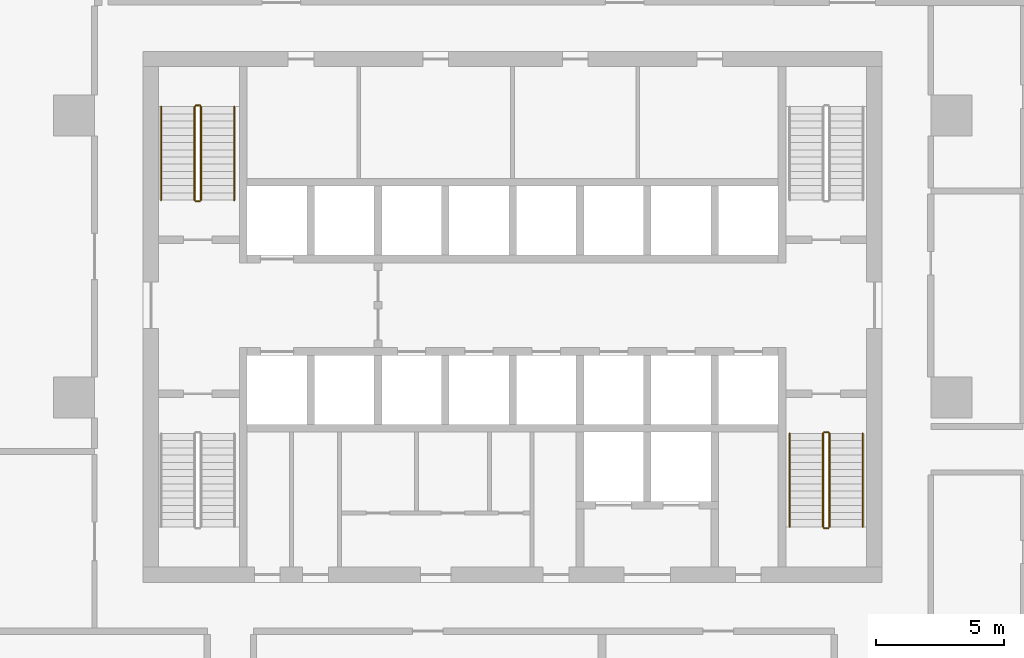
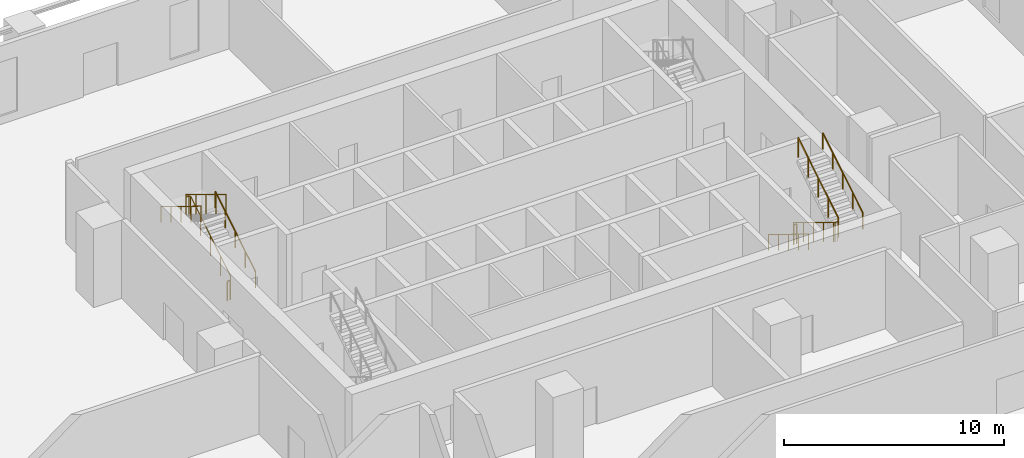
# One storey, part 13 of 15: 10 railings.
"""IFC4 building model written with IfcOpenShell, lengths in metres."""

from ifc_helpers import new_model, si_unit, direction, frame, origin, origin_2d, place, context, subcontext, project, spatial, circle, extrude, material, type_object, element, save


model = new_model("IFC4")

# Units and contexts
model_context = context("Model", 3, precision=1e-05, world=origin(), true_north=direction((0.0, 1.0)))
body_context = subcontext(model_context, "Body", "Model", "MODEL_VIEW")
ifc_project = project(units=[si_unit("LENGTHUNIT", "METRE"), si_unit("AREAUNIT", "SQUARE_METRE"), si_unit("VOLUMEUNIT", "CUBIC_METRE"), si_unit("PLANEANGLEUNIT", "RADIAN"), si_unit("MASSUNIT", "GRAM", prefix="KILO")], contexts=[model_context])

# Site, building, storey
site_placement = place(None, origin())
site = spatial("IfcSite", under=ifc_project, at=site_placement, CompositionType="ELEMENT")
building_placement = place(site_placement, origin())
building = spatial("IfcBuilding", under=site, at=building_placement, Name="Mopane Tessera Tower", CompositionType="ELEMENT")
storey_placement = place(building_placement, frame((0.0, 0.0, 69.39990234375)))
storey = spatial("IfcBuildingStorey", under=building, at=storey_placement, Name="L13", CompositionType="ELEMENT", Elevation=69.39990234375)

# Railings
ifc_material_1 = material(Name="Powder-coated steel balustrade", Category="steel")
railing_type_1 = type_object("IfcRailingType", Name="Escape stair guard 1100 mm", PredefinedType="GUARDRAIL", material=ifc_material_1)
railing_1_placement = place(storey_placement, frame((-12.14990234375, 7.699951171875, 0.171630859375)))
element("IfcRailing", 1, at=railing_1_placement, inside=storey, type_object=railing_type_1, Name="L13 ST2 stair guard 1", PredefinedType="GUARDRAIL", context=body_context, shape_type="SweptSolid", body=[
    extrude(circle(Radius=0.02392578125, at=origin_2d()), frame((0.0, 0.0, 1.076171875), z_axis=(0.0, 0.852865859571, 0.52213008492), x_axis=(-1.0, 0.0, 0.0)), (0.0, 0.0, 1.0), 4.26806640625),
    extrude(circle(Radius=0.02392578125, at=origin_2d()), frame((0.0, 3.64013671875, 3.3046875), z_axis=(-0.708833529934, 0.705375805398, 0.0), x_axis=(-0.705375805398, -0.708833529934, 0.0)), (0.0, 0.0, 1.0), 0.070556640625),
    extrude(circle(Radius=0.02392578125, at=origin_2d()), frame((-0.050048828125, 3.68994140625, 3.3046875), z_axis=(-1.0, 0.0, 0.0), x_axis=(0.0, -1.0, 0.0)), (0.0, 0.0, 1.0), 0.150146484375),
    extrude(circle(Radius=0.02099609375, at=origin_2d()), origin(), (0.0, 0.0, 1.0), 1.052001953125),
    extrude(circle(Radius=0.02099609375, at=origin_2d()), frame((0.0, 0.91015625, 0.55712890625)), (0.0, 0.0, 1.0), 1.052001953125),
    extrude(circle(Radius=0.02099609375, at=origin_2d()), frame((0.0, 1.820068359375, 1.1142578125)), (0.0, 0.0, 1.0), 1.052001953125),
    extrude(circle(Radius=0.02099609375, at=origin_2d()), frame((0.0, 2.72998046875, 1.67138671875)), (0.0, 0.0, 1.0), 1.052001953125),
    extrude(circle(Radius=0.02099609375, at=origin_2d()), frame((0.0, 3.64013671875, 2.228515625)), (0.0, 0.0, 1.0), 1.052001953125),
    extrude(circle(Radius=0.02099609375, at=origin_2d()), frame((-0.050048828125, 3.68994140625, 2.228515625)), (0.0, 0.0, 1.0), 1.052001953125),
    extrude(circle(Radius=0.02099609375, at=origin_2d()), frame((-0.2001953125, 3.68994140625, 2.228515625)), (0.0, 0.0, 1.0), 1.052001953125),
])
railing_2_placement = place(storey_placement, frame((-12.39990234375, 11.340087890625, 2.571533203125)))
element("IfcRailing", 2, at=railing_2_placement, inside=storey, type_object=railing_type_1, Name="L13 ST2 stair guard 2", PredefinedType="GUARDRAIL", context=body_context, shape_type="SweptSolid", body=[
    extrude(circle(Radius=0.02392578125, at=origin_2d()), frame((0.0, 0.0, 1.076171875), z_axis=(0.0, -0.852865859571, 0.52213008492), x_axis=(1.0, 0.0, 0.0)), (0.0, 0.0, 1.0), 4.26806640625),
    extrude(circle(Radius=0.02099609375, at=origin_2d()), origin(), (0.0, 0.0, 1.0), 1.052001953125),
    extrude(circle(Radius=0.02099609375, at=origin_2d()), frame((0.0, -0.91015625, 0.55712890625)), (0.0, 0.0, 1.0), 1.052001953125),
    extrude(circle(Radius=0.02099609375, at=origin_2d()), frame((0.0, -1.820068359375, 1.1142578125)), (0.0, 0.0, 1.0), 1.052001953125),
    extrude(circle(Radius=0.02099609375, at=origin_2d()), frame((0.0, -2.72998046875, 1.67138671875)), (0.0, 0.0, 1.0), 1.052001953125),
    extrude(circle(Radius=0.02099609375, at=origin_2d()), frame((0.0, -3.64013671875, 2.228515625)), (0.0, 0.0, 1.0), 1.052001953125),
])
railing_3_placement = place(storey_placement, frame((-12.199951171875, 7.64990234375, 0.0)))
element("IfcRailing", 3, at=railing_3_placement, inside=storey, type_object=railing_type_1, Name="L13 ST2 stair guard 3", PredefinedType="GUARDRAIL", context=body_context, shape_type="SweptSolid", body=[
    extrude(circle(Radius=0.02392578125, at=origin_2d()), frame((0.0, 0.0, 1.076171875), z_axis=(-1.0, 0.0, 0.0), x_axis=(0.0, -1.0, 0.0)), (0.0, 0.0, 1.0), 0.150146484375),
    extrude(circle(Radius=0.02099609375, at=origin_2d()), origin(), (0.0, 0.0, 1.0), 1.052001953125),
    extrude(circle(Radius=0.02099609375, at=origin_2d()), frame((-0.150146484375, 0.0, 0.0)), (0.0, 0.0, 1.0), 1.052001953125),
])
railing_4_placement = place(storey_placement, frame((12.10009765625, -1.39990234375, 0.171630859375)))
element("IfcRailing", 4, at=railing_4_placement, inside=storey, type_object=railing_type_1, Name="L13 ST3 stair guard 1", PredefinedType="GUARDRAIL", context=body_context, shape_type="SweptSolid", body=[
    extrude(circle(Radius=0.02392578125, at=origin_2d()), frame((0.0, 0.0, 1.076171875), z_axis=(0.0, -0.852865859571, 0.52213008492), x_axis=(1.0, 0.0, 0.0)), (0.0, 0.0, 1.0), 4.26806640625),
    extrude(circle(Radius=0.02392578125, at=origin_2d()), frame((0.0, -3.64013671875, 3.3046875), z_axis=(0.705375805398, -0.708833529934, 0.0), x_axis=(0.708833529934, 0.705375805398, 0.0)), (0.0, 0.0, 1.0), 0.070556640625),
    extrude(circle(Radius=0.02392578125, at=origin_2d()), frame((0.0498046875, -3.690185546875, 3.3046875), z_axis=(1.0, 0.0, 0.0), x_axis=(0.0, 1.0, 0.0)), (0.0, 0.0, 1.0), 0.150146484375),
    extrude(circle(Radius=0.02099609375, at=origin_2d()), origin(), (0.0, 0.0, 1.0), 1.052001953125),
    extrude(circle(Radius=0.02099609375, at=origin_2d()), frame((0.0, -0.91015625, 0.55712890625)), (0.0, 0.0, 1.0), 1.052001953125),
    extrude(circle(Radius=0.02099609375, at=origin_2d()), frame((0.0, -1.820068359375, 1.1142578125)), (0.0, 0.0, 1.0), 1.052001953125),
    extrude(circle(Radius=0.02099609375, at=origin_2d()), frame((0.0, -2.72998046875, 1.67138671875)), (0.0, 0.0, 1.0), 1.052001953125),
    extrude(circle(Radius=0.02099609375, at=origin_2d()), frame((0.0, -3.64013671875, 2.228515625)), (0.0, 0.0, 1.0), 1.052001953125),
    extrude(circle(Radius=0.02099609375, at=origin_2d()), frame((0.0498046875, -3.690185546875, 2.228515625)), (0.0, 0.0, 1.0), 1.052001953125),
    extrude(circle(Radius=0.02099609375, at=origin_2d()), frame((0.199951171875, -3.690185546875, 2.228515625)), (0.0, 0.0, 1.0), 1.052001953125),
])
railing_5_placement = place(storey_placement, frame((12.35009765625, -5.0400390625, 2.571533203125)))
element("IfcRailing", 5, at=railing_5_placement, inside=storey, type_object=railing_type_1, Name="L13 ST3 stair guard 2", PredefinedType="GUARDRAIL", context=body_context, shape_type="SweptSolid", body=[
    extrude(circle(Radius=0.02392578125, at=origin_2d()), frame((0.0, 0.0, 1.076171875), z_axis=(0.0, 0.852865859571, 0.52213008492), x_axis=(-1.0, 0.0, 0.0)), (0.0, 0.0, 1.0), 4.26806640625),
    extrude(circle(Radius=0.02099609375, at=origin_2d()), origin(), (0.0, 0.0, 1.0), 1.052001953125),
    extrude(circle(Radius=0.02099609375, at=origin_2d()), frame((0.0, 0.91015625, 0.55712890625)), (0.0, 0.0, 1.0), 1.052001953125),
    extrude(circle(Radius=0.02099609375, at=origin_2d()), frame((0.0, 1.820068359375, 1.1142578125)), (0.0, 0.0, 1.0), 1.052001953125),
    extrude(circle(Radius=0.02099609375, at=origin_2d()), frame((0.0, 2.72998046875, 1.67138671875)), (0.0, 0.0, 1.0), 1.052001953125),
    extrude(circle(Radius=0.02099609375, at=origin_2d()), frame((0.0, 3.64013671875, 2.228515625)), (0.0, 0.0, 1.0), 1.052001953125),
])
railing_6_placement = place(storey_placement, frame((12.14990234375, -1.35009765625, 0.0)))
element("IfcRailing", 6, at=railing_6_placement, inside=storey, type_object=railing_type_1, Name="L13 ST3 stair guard 3", PredefinedType="GUARDRAIL", context=body_context, shape_type="SweptSolid", body=[
    extrude(circle(Radius=0.02392578125, at=origin_2d()), frame((0.0, 0.0, 1.076171875), z_axis=(1.0, 0.0, 0.0), x_axis=(0.0, 1.0, 0.0)), (0.0, 0.0, 1.0), 0.150146484375),
    extrude(circle(Radius=0.02099609375, at=origin_2d()), origin(), (0.0, 0.0, 1.0), 1.052001953125),
    extrude(circle(Radius=0.02099609375, at=origin_2d()), frame((0.150146484375, 0.0, 0.0)), (0.0, 0.0, 1.0), 1.052001953125),
])
ifc_material_2 = material(Name="Powder-coated steel balustrade", Category="steel")
railing_type_2 = type_object("IfcRailingType", Name="Escape stair handrail 900 mm", PredefinedType="HANDRAIL", material=ifc_material_2)
railing_7_placement = place(storey_placement, frame((-10.85009765625, 7.699951171875, 0.171630859375)))
element("IfcRailing", 7, at=railing_7_placement, inside=storey, type_object=railing_type_2, Name="L13 ST2 stair handrail 1", PredefinedType="HANDRAIL", context=body_context, shape_type="SweptSolid", body=[
    extrude(circle(Radius=0.02392578125, at=origin_2d()), frame((0.0, 0.0, 0.8759765625), z_axis=(0.0, 0.852865859571, 0.52213008492), x_axis=(-1.0, 0.0, 0.0)), (0.0, 0.0, 1.0), 4.26806640625),
    extrude(circle(Radius=0.02099609375, at=origin_2d()), origin(), (0.0, 0.0, 1.0), 0.851806640625),
    extrude(circle(Radius=0.02099609375, at=origin_2d()), frame((0.0, 0.91015625, 0.55712890625)), (0.0, 0.0, 1.0), 0.851806640625),
    extrude(circle(Radius=0.02099609375, at=origin_2d()), frame((0.0, 1.820068359375, 1.1142578125)), (0.0, 0.0, 1.0), 0.851806640625),
    extrude(circle(Radius=0.02099609375, at=origin_2d()), frame((0.0, 2.72998046875, 1.67138671875)), (0.0, 0.0, 1.0), 0.851806640625),
    extrude(circle(Radius=0.02099609375, at=origin_2d()), frame((0.0, 3.64013671875, 2.228515625)), (0.0, 0.0, 1.0), 0.851806640625),
])
for number, where, name in (
    (8, (-13.699951171875, 11.340087890625, 2.571533203125), "L13 ST2 stair handrail 2"),
    (9, (10.800048828125, -1.39990234375, 0.171630859375), "L13 ST3 stair handrail 1"),
):
    element("IfcRailing", number, at=place(storey_placement, frame(where)), inside=storey, type_object=railing_type_2, Name=name, PredefinedType="HANDRAIL", context=body_context, shape_type="SweptSolid", body=[
        extrude(circle(Radius=0.02392578125, at=origin_2d()), frame((0.0, 0.0, 0.8759765625), z_axis=(0.0, -0.852865859571, 0.52213008492), x_axis=(1.0, 0.0, 0.0)), (0.0, 0.0, 1.0), 4.26806640625),
        extrude(circle(Radius=0.02099609375, at=origin_2d()), origin(), (0.0, 0.0, 1.0), 0.851806640625),
        extrude(circle(Radius=0.02099609375, at=origin_2d()), frame((0.0, -0.91015625, 0.55712890625)), (0.0, 0.0, 1.0), 0.851806640625),
        extrude(circle(Radius=0.02099609375, at=origin_2d()), frame((0.0, -1.820068359375, 1.1142578125)), (0.0, 0.0, 1.0), 0.851806640625),
        extrude(circle(Radius=0.02099609375, at=origin_2d()), frame((0.0, -2.72998046875, 1.67138671875)), (0.0, 0.0, 1.0), 0.851806640625),
        extrude(circle(Radius=0.02099609375, at=origin_2d()), frame((0.0, -3.64013671875, 2.228515625)), (0.0, 0.0, 1.0), 0.851806640625),
    ])
railing_8_placement = place(storey_placement, frame((13.64990234375, -5.0400390625, 2.571533203125)))
element("IfcRailing", 10, at=railing_8_placement, inside=storey, type_object=railing_type_2, Name="L13 ST3 stair handrail 2", PredefinedType="HANDRAIL", context=body_context, shape_type="SweptSolid", body=[
    extrude(circle(Radius=0.02392578125, at=origin_2d()), frame((0.0, 0.0, 0.8759765625), z_axis=(0.0, 0.852865859571, 0.52213008492), x_axis=(-1.0, 0.0, 0.0)), (0.0, 0.0, 1.0), 4.26806640625),
    extrude(circle(Radius=0.02099609375, at=origin_2d()), origin(), (0.0, 0.0, 1.0), 0.851806640625),
    extrude(circle(Radius=0.02099609375, at=origin_2d()), frame((0.0, 0.91015625, 0.55712890625)), (0.0, 0.0, 1.0), 0.851806640625),
    extrude(circle(Radius=0.02099609375, at=origin_2d()), frame((0.0, 1.820068359375, 1.1142578125)), (0.0, 0.0, 1.0), 0.851806640625),
    extrude(circle(Radius=0.02099609375, at=origin_2d()), frame((0.0, 2.72998046875, 1.67138671875)), (0.0, 0.0, 1.0), 0.851806640625),
    extrude(circle(Radius=0.02099609375, at=origin_2d()), frame((0.0, 3.64013671875, 2.228515625)), (0.0, 0.0, 1.0), 0.851806640625),
])

save(model, "model.ifc")
